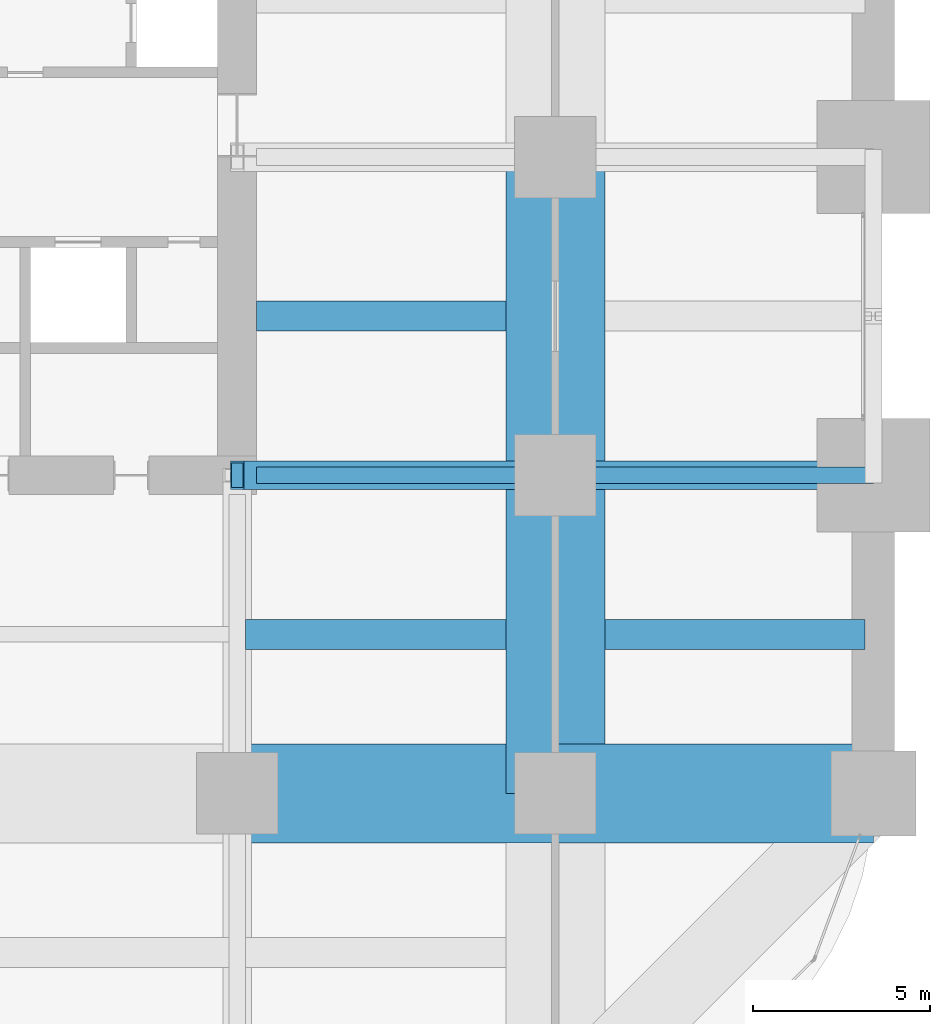
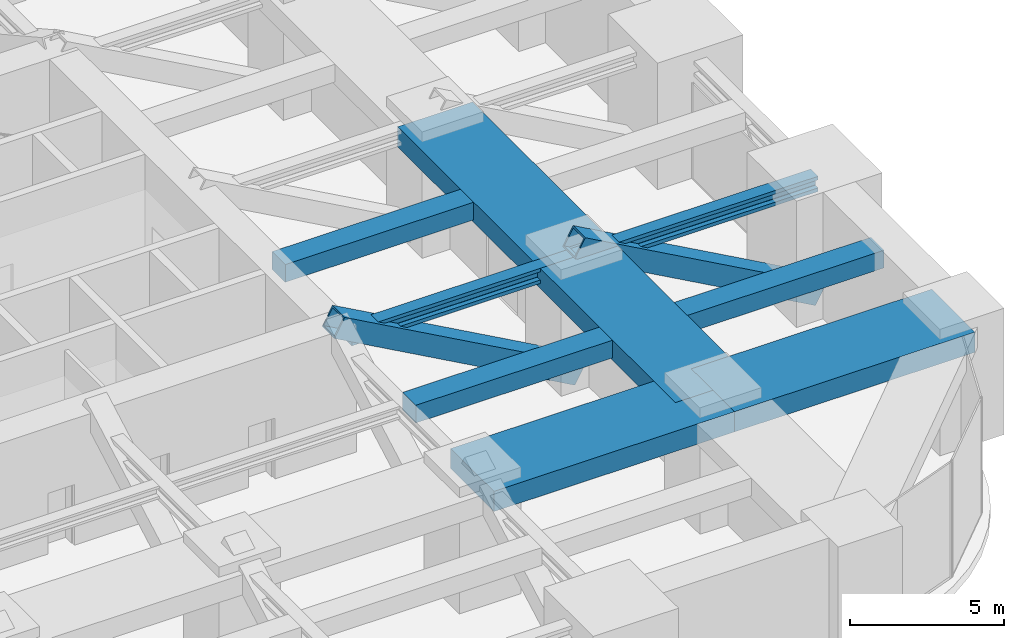
# One storey, part 16 of 35: 9 beams, 2 members.
"""IFC4 building model written with IfcOpenShell, lengths in metres."""

from ifc_helpers import new_model, si_unit, direction, frame, origin, origin_2d, place, context, subcontext, project, spatial, rectangle, hollow_rectangle, i_section, extrude, material, material_profile, profile_set, type_object, element, save


model = new_model("IFC4")

# Units and contexts
model_context = context("Model", 3, precision=1e-05, world=origin(), true_north=direction((0.0, 1.0)))
body_context = subcontext(model_context, "Body", "Model", "MODEL_VIEW")
ifc_project = project(units=[si_unit("LENGTHUNIT", "METRE"), si_unit("AREAUNIT", "SQUARE_METRE"), si_unit("VOLUMEUNIT", "CUBIC_METRE"), si_unit("PLANEANGLEUNIT", "RADIAN"), si_unit("MASSUNIT", "GRAM", prefix="KILO")], contexts=[model_context])

# Site, building, storey
site_placement = place(None, origin())
site = spatial("IfcSite", under=ifc_project, at=site_placement, CompositionType="ELEMENT")
building_placement = place(site_placement, origin())
building = spatial("IfcBuilding", under=site, at=building_placement, Name="Zorevar Civic Tower", CompositionType="ELEMENT")
storey_placement = place(building_placement, frame((0.0, 0.0, 80.0)))
storey = spatial("IfcBuildingStorey", under=building, at=storey_placement, Name="L19", CompositionType="ELEMENT", Elevation=80.0)

# Beams
ifc_material_1 = material(Name="Concrete C50/60", Category="concrete")
ifc_material_profile_1 = material_profile(ifc_material_1, rectangle(XDim=2.800048828125, YDim=0.800048828125, at=origin_2d()), Name="RC 2800x800")
ifc_profile_set_1 = profile_set([ifc_material_profile_1], Name="Concrete C50/60")
beam_type_1 = type_object("IfcBeamType", Name="Beam RC 2800x800", PredefinedType="BEAM", material=ifc_profile_set_1)
for number, where, z_axis, x_axis, name in (
    (1, (45.0, 9.0, 4.199951171875), (1.0, 0.0, 0.0), (0.0, 1.0, 0.0), "Girder L20"),
    (2, (54.0, 9.0, 4.199951171875), (1.0, 0.0, 0.0), (0.0, 1.0, 0.0), "Girder L20"),
    (3, (54.0, 9.0, 4.199951171875), (0.0, 1.0, 0.0), (-1.0, 0.0, 0.0), "Girder L20"),
    (4, (54.0, 18.0, 4.199951171875), (0.0, 1.0, 0.0), (-1.0, 0.0, 0.0), "Girder L20"),
):
    element("IfcBeam", number, at=place(storey_placement, frame(where, z_axis=z_axis, x_axis=x_axis)), inside=storey, type_object=beam_type_1, Name=name, PredefinedType="BEAM", context=body_context, shape_type="SweptSolid", body=[
        extrude(rectangle(XDim=2.800048828125, YDim=0.800048828125, at=origin_2d()), origin(), (0.0, 0.0, 1.0), 9.0),
    ])
ifc_material_2 = material(Name="Concrete C50/60", Category="concrete")
ifc_material_profile_2 = material_profile(ifc_material_2, rectangle(XDim=0.85009765625, YDim=0.699951171875, at=origin_2d()), Name="RC 850x700")
ifc_profile_set_2 = profile_set([ifc_material_profile_2], Name="Concrete C50/60")
beam_type_2 = type_object("IfcBeamType", Name="Beam RC 850x700", PredefinedType="BEAM", material=ifc_profile_set_2)
for number, where, z_axis, x_axis, name in (
    (5, (45.238037109375, 13.5, 4.25), (1.0, 0.0, 0.0), (0.0, 1.0, 0.0), "Secondary beam L20"),
    (6, (55.39990234375, 13.5, 4.25), (1.0, 0.0, 0.0), (0.0, 1.0, 0.0), "Secondary beam L20"),
):
    element("IfcBeam", number, at=place(storey_placement, frame(where, z_axis=z_axis, x_axis=x_axis)), inside=storey, type_object=beam_type_2, Name=name, PredefinedType="BEAM", context=body_context, shape_type="SweptSolid", body=[
        extrude(rectangle(XDim=0.85009765625, YDim=0.699951171875, at=origin_2d()), origin(), (0.0, 0.0, 1.0), 7.362060546875),
    ])
beam_1_placement = place(storey_placement, frame((45.550048828125, 22.5, 4.25), z_axis=(1.0, 0.0, 0.0), x_axis=(0.0, 1.0, 0.0)))
element("IfcBeam", 7, at=beam_1_placement, inside=storey, type_object=beam_type_2, Name="Secondary beam L20", PredefinedType="BEAM", context=body_context, shape_type="SweptSolid", body=[
    extrude(rectangle(XDim=0.85009765625, YDim=0.699951171875, at=origin_2d()), origin(), (0.0, 0.0, 1.0), 7.050048828125),
])
ifc_material_3 = material(Name="Steel S460M (HISTAR 460)", Category="steel")
ifc_material_profile_3 = material_profile(ifc_material_3, i_section(OverallWidth=0.47607421875, OverallDepth=0.60009765625, WebThickness=0.10009765625, FlangeThickness=0.139892578125, FilletRadius=0.014892578125, at=origin_2d()), Name="HD 400x1299")
ifc_profile_set_3 = profile_set([ifc_material_profile_3], Name="Steel S460M (HISTAR 460)")
beam_type_3 = type_object("IfcBeamType", Name="Outrigger chord HD 400x1299", PredefinedType="BEAM", material=ifc_profile_set_3)
beam_2_placement = place(storey_placement, frame((45.550048828125, 18.0, 4.300048828125), z_axis=(1.0, 0.0, 0.0), x_axis=(0.0, 1.0, 0.0)))
element("IfcBeam", 8, at=beam_2_placement, inside=storey, type_object=beam_type_3, Name="Outrigger chord L20", PredefinedType="BEAM", context=body_context, shape_type="SweptSolid", body=[
    extrude(i_section(OverallWidth=0.47607421875, OverallDepth=0.60009765625, WebThickness=0.10009765625, FlangeThickness=0.139892578125, FilletRadius=0.014892578125, at=origin_2d()), origin(), (0.0, 0.0, 1.0), 8.449951171875),
])
beam_3_placement = place(storey_placement, frame((54.0, 18.0, 4.300048828125), z_axis=(1.0, 0.0, 0.0), x_axis=(0.0, 1.0, 0.0)))
element("IfcBeam", 9, at=beam_3_placement, inside=storey, type_object=beam_type_3, Name="Outrigger chord L20", PredefinedType="BEAM", context=body_context, shape_type="SweptSolid", body=[
    extrude(i_section(OverallWidth=0.47607421875, OverallDepth=0.60009765625, WebThickness=0.10009765625, FlangeThickness=0.139892578125, FilletRadius=0.014892578125, at=origin_2d()), origin(), (0.0, 0.0, 1.0), 9.0),
])

# Members
ifc_material_4 = material(Name="Steel S460M (HISTAR 460)", Category="steel")
ifc_material_profile_4 = material_profile(ifc_material_4, hollow_rectangle(XDim=0.800048828125, YDim=0.800048828125, WallThickness=0.06005859375, at=origin_2d()), Name="BOX 800x800x60")
ifc_profile_set_4 = profile_set([ifc_material_profile_4], Name="Steel S460M (HISTAR 460)")
member_type = type_object("IfcMemberType", Name="Outrigger diagonal BOX 800x800x60", PredefinedType="BRACE", material=ifc_profile_set_4)
for number, where, z_axis, x_axis, name in (
    (10, (45.0, 18.0, 5.0), (0.874157276122, 0.0, -0.485642931179), (0.0, 1.0, 0.0), "Outrigger diagonal E L19"),
    (11, (54.0, 18.0, 5.0), (0.874157276122, 0.0, -0.485642931179), (0.0, 1.0, 0.0), "Outrigger diagonal E L19"),
):
    element("IfcMember", number, at=place(storey_placement, frame(where, z_axis=z_axis, x_axis=x_axis)), inside=storey, type_object=member_type, Name=name, PredefinedType="BRACE", context=body_context, shape_type="SweptSolid", body=[
        extrude(hollow_rectangle(XDim=0.800048828125, YDim=0.800048828125, WallThickness=0.06005859375, at=origin_2d()), origin(), (0.0, 0.0, 1.0), 10.295654296875),
    ])

save(model, "model.ifc")
